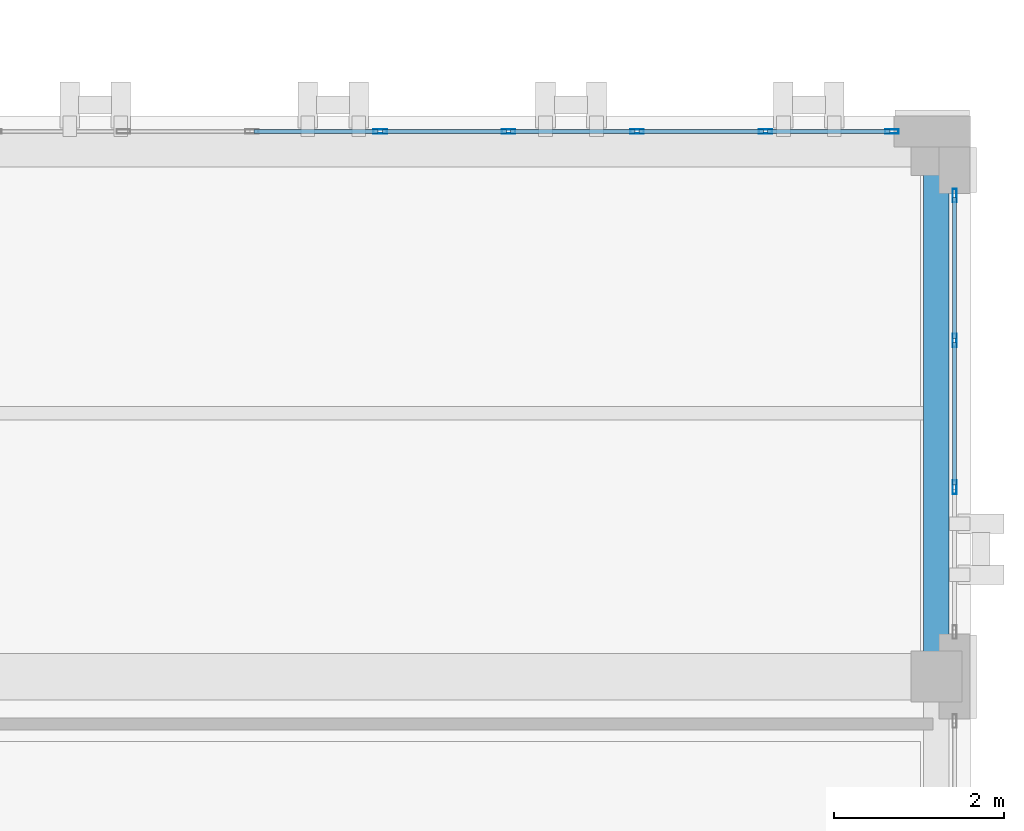
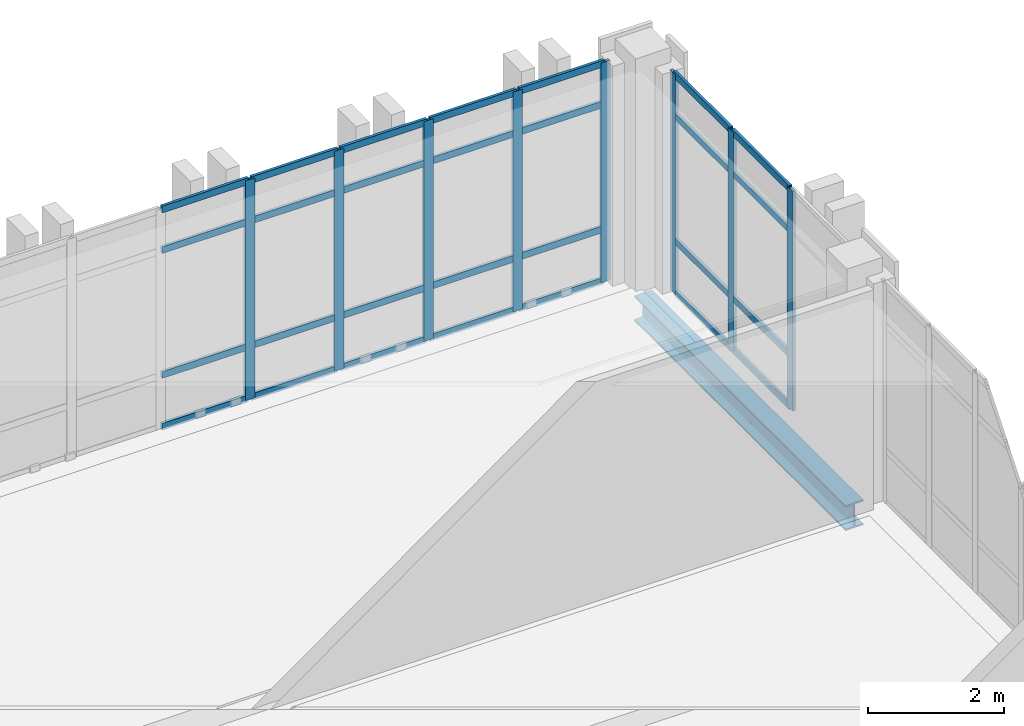
# One storey, part 45 of 77: 36 members, 1 beam, 2 elements without a shape of their own.
"""IFC4 building model written with IfcOpenShell, lengths in metres."""

from ifc_helpers import new_model, si_unit, direction, frame, origin, origin_2d, place, context, subcontext, project, spatial, hollow_rectangle, i_section, extrude, material, layer, layer_set, material_profile, profile_set, type_object, element, aggregate, save


model = new_model("IFC4")

# Units and contexts
model_context = context("Model", 3, precision=1e-05, world=origin(), true_north=direction((0.0, 1.0)))
body_context = subcontext(model_context, "Body", "Model", "MODEL_VIEW")
ifc_project = project(units=[si_unit("LENGTHUNIT", "METRE"), si_unit("AREAUNIT", "SQUARE_METRE"), si_unit("VOLUMEUNIT", "CUBIC_METRE"), si_unit("PLANEANGLEUNIT", "RADIAN"), si_unit("MASSUNIT", "GRAM", prefix="KILO")], contexts=[model_context])

# Site, building, storey
site_placement = place(None, origin())
site = spatial("IfcSite", under=ifc_project, at=site_placement, CompositionType="ELEMENT")
building_placement = place(site_placement, origin())
building = spatial("IfcBuilding", under=site, at=building_placement, Name="Qalavern Law Courts", CompositionType="ELEMENT")
storey_placement = place(building_placement, frame((0.0, 0.0, 27.0)))
storey = spatial("IfcBuildingStorey", under=building, at=storey_placement, Name="L06", CompositionType="ELEMENT", Elevation=27.0)

# Curtain wall, members
ifc_material_1 = material(Name="Anodised aluminium and insulated glazing", Category="aluminium")
ifc_layer = layer(ifc_material_1, 0.159912109375)
ifc_layer_set = layer_set([ifc_layer], Name="Anodised aluminium and insulated glazing")
curtain_wall_type = type_object("IfcCurtainWallType", Name="ENV-CW-CHAMB", PredefinedType="USERDEFINED", material=ifc_layer_set)
curtain_wall_1_placement = place(storey_placement, origin())
curtain_wall_1 = element("IfcCurtainWall", 1, at=curtain_wall_1_placement, inside=storey, type_object=curtain_wall_type, Name="V4 unitised curtain wall L06 east 5", ObjectType="UNITISED CURTAIN WALL", PredefinedType="USERDEFINED")
ifc_material_2 = material(Name="Anodised aluminium", Category="aluminium")
ifc_material_profile_1 = material_profile(ifc_material_2, hollow_rectangle(XDim=0.048095703125, YDim=0.159912109375, WallThickness=0.00390625, at=origin_2d()), Name="ALU MULLION 48x160")
ifc_profile_set_1 = profile_set([ifc_material_profile_1], Name="Anodised aluminium")
member_type_1 = type_object("IfcMemberType", Name="ENV-CWM-48x160", PredefinedType="MULLION", material=ifc_profile_set_1)
member_1_placement = place(storey_placement, frame((106.614990234375, 81.42822265625, 0.0), z_axis=(0.0, 0.0, 1.0), x_axis=(-1.0, 0.0, 0.0)))
member_1 = element("IfcMember", 2, at=member_1_placement, type_object=member_type_1, Name="CW-04 mullion 2", PredefinedType="MULLION", context=body_context, shape_type="SweptSolid", body=[
    extrude(hollow_rectangle(XDim=0.048095703125, YDim=0.159912109375, WallThickness=0.00390625, at=origin_2d()), origin(), (0.0, 0.0, 1.0), 3.93505859375),
])
member_2_placement = place(storey_placement, frame((106.614990234375, 83.15673828125, 0.0), z_axis=(0.0, 0.0, 1.0), x_axis=(-1.0, 0.0, 0.0)))
member_2 = element("IfcMember", 3, at=member_2_placement, type_object=member_type_1, Name="CW-04 mullion 3", PredefinedType="MULLION", context=body_context, shape_type="SweptSolid", body=[
    extrude(hollow_rectangle(XDim=0.048095703125, YDim=0.159912109375, WallThickness=0.00390625, at=origin_2d()), origin(), (0.0, 0.0, 1.0), 3.93505859375),
])
member_3_placement = place(storey_placement, frame((106.614990234375, 84.861083984375, 0.0), z_axis=(0.0, 0.0, 1.0), x_axis=(-1.0, 0.0, 0.0)))
member_3 = element("IfcMember", 4, at=member_3_placement, type_object=member_type_1, Name="CW-04 mullion 4", PredefinedType="MULLION", context=body_context, shape_type="SweptSolid", body=[
    extrude(hollow_rectangle(XDim=0.048095703125, YDim=0.159912109375, WallThickness=0.00390625, at=origin_2d()), origin(), (0.0, 0.0, 1.0), 3.93505859375),
])

curtain_wall_2_placement = place(storey_placement, origin())
curtain_wall_2 = element("IfcCurtainWall", 5, at=curtain_wall_2_placement, inside=storey, type_object=curtain_wall_type, Name="V4 unitised curtain wall L06 north 1", ObjectType="UNITISED CURTAIN WALL", PredefinedType="USERDEFINED")
member_4_placement = place(storey_placement, frame((105.8759765625, 85.614990234375, 0.0), z_axis=(0.0, 0.0, 1.0), x_axis=(0.0, -1.0, 0.0)))
member_4 = element("IfcMember", 6, at=member_4_placement, type_object=member_type_1, Name="CW-04 mullion 1", PredefinedType="MULLION", context=body_context, shape_type="SweptSolid", body=[
    extrude(hollow_rectangle(XDim=0.048095703125, YDim=0.159912109375, WallThickness=0.00390625, at=origin_2d()), origin(), (0.0, 0.0, 1.0), 3.93505859375),
])
member_5_placement = place(storey_placement, frame((104.388916015625, 85.614990234375, 0.0), z_axis=(0.0, 0.0, 1.0), x_axis=(0.0, -1.0, 0.0)))
member_5 = element("IfcMember", 7, at=member_5_placement, type_object=member_type_1, Name="CW-04 mullion 2", PredefinedType="MULLION", context=body_context, shape_type="SweptSolid", body=[
    extrude(hollow_rectangle(XDim=0.048095703125, YDim=0.159912109375, WallThickness=0.00390625, at=origin_2d()), origin(), (0.0, 0.0, 1.0), 3.93505859375),
])
member_6_placement = place(storey_placement, frame((102.877685546875, 85.614990234375, 0.0), z_axis=(0.0, 0.0, 1.0), x_axis=(0.0, -1.0, 0.0)))
member_6 = element("IfcMember", 8, at=member_6_placement, type_object=member_type_1, Name="CW-04 mullion 3", PredefinedType="MULLION", context=body_context, shape_type="SweptSolid", body=[
    extrude(hollow_rectangle(XDim=0.048095703125, YDim=0.159912109375, WallThickness=0.00390625, at=origin_2d()), origin(), (0.0, 0.0, 1.0), 3.93505859375),
])
member_7_placement = place(storey_placement, frame((101.36669921875, 85.614990234375, 0.0), z_axis=(0.0, 0.0, 1.0), x_axis=(0.0, -1.0, 0.0)))
member_7 = element("IfcMember", 9, at=member_7_placement, type_object=member_type_1, Name="CW-04 mullion 4", PredefinedType="MULLION", context=body_context, shape_type="SweptSolid", body=[
    extrude(hollow_rectangle(XDim=0.048095703125, YDim=0.159912109375, WallThickness=0.00390625, at=origin_2d()), origin(), (0.0, 0.0, 1.0), 3.93505859375),
])
member_8_placement = place(storey_placement, frame((99.85546875, 85.614990234375, 0.0), z_axis=(0.0, 0.0, 1.0), x_axis=(0.0, -1.0, 0.0)))
member_8 = element("IfcMember", 10, at=member_8_placement, type_object=member_type_1, Name="CW-04 mullion 5", PredefinedType="MULLION", context=body_context, shape_type="SweptSolid", body=[
    extrude(hollow_rectangle(XDim=0.048095703125, YDim=0.159912109375, WallThickness=0.00390625, at=origin_2d()), origin(), (0.0, 0.0, 1.0), 3.93505859375),
])

# Member
ifc_material_profile_2 = material_profile(ifc_material_2, hollow_rectangle(XDim=0.048095703125, YDim=0.1201171875, WallThickness=0.00390625, at=origin_2d()), Name="ALU TRANSOM 48x120")
ifc_profile_set_2 = profile_set([ifc_material_profile_2], Name="Anodised aluminium")
member_type_2 = type_object("IfcMemberType", Name="ENV-CWT-48x120", PredefinedType="USERDEFINED", material=ifc_profile_set_2)
member_9_placement = place(storey_placement, frame((106.614990234375, 81.452392578125, 0.02392578125), z_axis=(0.0, 1.0, 0.0), x_axis=(-1.0, 0.0, 0.0)))
member_9 = element("IfcMember", 11, at=member_9_placement, type_object=member_type_2, Name="CW-04 transom 2.1", ObjectType="TRANSOM", PredefinedType="USERDEFINED", context=body_context, shape_type="SweptSolid", body=[
    extrude(hollow_rectangle(XDim=0.048095703125, YDim=0.1201171875, WallThickness=0.00390625, at=origin_2d()), origin(), (0.0, 0.0, 1.0), 1.68017578125),
])

member_10_placement = place(storey_placement, frame((106.614990234375, 81.452392578125, 0.949951171875), z_axis=(0.0, 1.0, 0.0), x_axis=(-1.0, 0.0, 0.0)))
member_10 = element("IfcMember", 12, at=member_10_placement, type_object=member_type_2, Name="CW-04 transom 2.2", ObjectType="TRANSOM", PredefinedType="USERDEFINED", context=body_context, shape_type="SweptSolid", body=[
    extrude(hollow_rectangle(XDim=0.048095703125, YDim=0.1201171875, WallThickness=0.00390625, at=origin_2d()), origin(), (0.0, 0.0, 1.0), 1.68017578125),
])

member_11_placement = place(storey_placement, frame((106.614990234375, 81.452392578125, 3.18505859375), z_axis=(0.0, 1.0, 0.0), x_axis=(-1.0, 0.0, 0.0)))
member_11 = element("IfcMember", 13, at=member_11_placement, type_object=member_type_2, Name="CW-04 transom 2.3", ObjectType="TRANSOM", PredefinedType="USERDEFINED", context=body_context, shape_type="SweptSolid", body=[
    extrude(hollow_rectangle(XDim=0.048095703125, YDim=0.1201171875, WallThickness=0.00390625, at=origin_2d()), origin(), (0.0, 0.0, 1.0), 1.68017578125),
])

member_12_placement = place(storey_placement, frame((106.614990234375, 81.452392578125, 3.910888671875), z_axis=(0.0, 1.0, 0.0), x_axis=(-1.0, 0.0, 0.0)))
member_12 = element("IfcMember", 14, at=member_12_placement, type_object=member_type_2, Name="CW-04 transom 2.4", ObjectType="TRANSOM", PredefinedType="USERDEFINED", context=body_context, shape_type="SweptSolid", body=[
    extrude(hollow_rectangle(XDim=0.048095703125, YDim=0.1201171875, WallThickness=0.00390625, at=origin_2d()), origin(), (0.0, 0.0, 1.0), 1.68017578125),
])

member_13_placement = place(storey_placement, frame((106.614990234375, 83.1806640625, 0.02392578125), z_axis=(0.0, 1.0, 0.0), x_axis=(-1.0, 0.0, 0.0)))
member_13 = element("IfcMember", 15, at=member_13_placement, type_object=member_type_2, Name="CW-04 transom 3.1", ObjectType="TRANSOM", PredefinedType="USERDEFINED", context=body_context, shape_type="SweptSolid", body=[
    extrude(hollow_rectangle(XDim=0.048095703125, YDim=0.1201171875, WallThickness=0.00390625, at=origin_2d()), origin(), (0.0, 0.0, 1.0), 1.65625),
])

member_14_placement = place(storey_placement, frame((106.614990234375, 83.1806640625, 0.949951171875), z_axis=(0.0, 1.0, 0.0), x_axis=(-1.0, 0.0, 0.0)))
member_14 = element("IfcMember", 16, at=member_14_placement, type_object=member_type_2, Name="CW-04 transom 3.2", ObjectType="TRANSOM", PredefinedType="USERDEFINED", context=body_context, shape_type="SweptSolid", body=[
    extrude(hollow_rectangle(XDim=0.048095703125, YDim=0.1201171875, WallThickness=0.00390625, at=origin_2d()), origin(), (0.0, 0.0, 1.0), 1.65625),
])

member_15_placement = place(storey_placement, frame((106.614990234375, 83.1806640625, 3.18505859375), z_axis=(0.0, 1.0, 0.0), x_axis=(-1.0, 0.0, 0.0)))
member_15 = element("IfcMember", 17, at=member_15_placement, type_object=member_type_2, Name="CW-04 transom 3.3", ObjectType="TRANSOM", PredefinedType="USERDEFINED", context=body_context, shape_type="SweptSolid", body=[
    extrude(hollow_rectangle(XDim=0.048095703125, YDim=0.1201171875, WallThickness=0.00390625, at=origin_2d()), origin(), (0.0, 0.0, 1.0), 1.65625),
])

member_16_placement = place(storey_placement, frame((106.614990234375, 83.1806640625, 3.910888671875), z_axis=(0.0, 1.0, 0.0), x_axis=(-1.0, 0.0, 0.0)))
member_16 = element("IfcMember", 18, at=member_16_placement, type_object=member_type_2, Name="CW-04 transom 3.4", ObjectType="TRANSOM", PredefinedType="USERDEFINED", context=body_context, shape_type="SweptSolid", body=[
    extrude(hollow_rectangle(XDim=0.048095703125, YDim=0.1201171875, WallThickness=0.00390625, at=origin_2d()), origin(), (0.0, 0.0, 1.0), 1.65625),
])

aggregate(curtain_wall_1, [member_1, member_2, member_3, member_9, member_10, member_11, member_12, member_13, member_14, member_15, member_16])

member_17_placement = place(storey_placement, frame((105.85205078125, 85.614990234375, 0.02392578125), z_axis=(-1.0, 0.0, 0.0), x_axis=(0.0, -1.0, 0.0)))
member_17 = element("IfcMember", 19, at=member_17_placement, type_object=member_type_2, Name="CW-04 transom 1.1", ObjectType="TRANSOM", PredefinedType="USERDEFINED", context=body_context, shape_type="SweptSolid", body=[
    extrude(hollow_rectangle(XDim=0.048095703125, YDim=0.1201171875, WallThickness=0.00390625, at=origin_2d()), origin(), (0.0, 0.0, 1.0), 1.439208984375),
])

member_18_placement = place(storey_placement, frame((105.85205078125, 85.614990234375, 0.949951171875), z_axis=(-1.0, 0.0, 0.0), x_axis=(0.0, -1.0, 0.0)))
member_18 = element("IfcMember", 20, at=member_18_placement, type_object=member_type_2, Name="CW-04 transom 1.2", ObjectType="TRANSOM", PredefinedType="USERDEFINED", context=body_context, shape_type="SweptSolid", body=[
    extrude(hollow_rectangle(XDim=0.048095703125, YDim=0.1201171875, WallThickness=0.00390625, at=origin_2d()), origin(), (0.0, 0.0, 1.0), 1.439208984375),
])

member_19_placement = place(storey_placement, frame((105.85205078125, 85.614990234375, 3.18505859375), z_axis=(-1.0, 0.0, 0.0), x_axis=(0.0, -1.0, 0.0)))
member_19 = element("IfcMember", 21, at=member_19_placement, type_object=member_type_2, Name="CW-04 transom 1.3", ObjectType="TRANSOM", PredefinedType="USERDEFINED", context=body_context, shape_type="SweptSolid", body=[
    extrude(hollow_rectangle(XDim=0.048095703125, YDim=0.1201171875, WallThickness=0.00390625, at=origin_2d()), origin(), (0.0, 0.0, 1.0), 1.439208984375),
])

member_20_placement = place(storey_placement, frame((105.85205078125, 85.614990234375, 3.910888671875), z_axis=(-1.0, 0.0, 0.0), x_axis=(0.0, -1.0, 0.0)))
member_20 = element("IfcMember", 22, at=member_20_placement, type_object=member_type_2, Name="CW-04 transom 1.4", ObjectType="TRANSOM", PredefinedType="USERDEFINED", context=body_context, shape_type="SweptSolid", body=[
    extrude(hollow_rectangle(XDim=0.048095703125, YDim=0.1201171875, WallThickness=0.00390625, at=origin_2d()), origin(), (0.0, 0.0, 1.0), 1.439208984375),
])

member_21_placement = place(storey_placement, frame((104.364990234375, 85.614990234375, 0.02392578125), z_axis=(-1.0, 0.0, 0.0), x_axis=(0.0, -1.0, 0.0)))
member_21 = element("IfcMember", 23, at=member_21_placement, type_object=member_type_2, Name="CW-04 transom 2.1", ObjectType="TRANSOM", PredefinedType="USERDEFINED", context=body_context, shape_type="SweptSolid", body=[
    extrude(hollow_rectangle(XDim=0.048095703125, YDim=0.1201171875, WallThickness=0.00390625, at=origin_2d()), origin(), (0.0, 0.0, 1.0), 1.463134765625),
])

member_22_placement = place(storey_placement, frame((104.364990234375, 85.614990234375, 0.949951171875), z_axis=(-1.0, 0.0, 0.0), x_axis=(0.0, -1.0, 0.0)))
member_22 = element("IfcMember", 24, at=member_22_placement, type_object=member_type_2, Name="CW-04 transom 2.2", ObjectType="TRANSOM", PredefinedType="USERDEFINED", context=body_context, shape_type="SweptSolid", body=[
    extrude(hollow_rectangle(XDim=0.048095703125, YDim=0.1201171875, WallThickness=0.00390625, at=origin_2d()), origin(), (0.0, 0.0, 1.0), 1.463134765625),
])

member_23_placement = place(storey_placement, frame((104.364990234375, 85.614990234375, 3.18505859375), z_axis=(-1.0, 0.0, 0.0), x_axis=(0.0, -1.0, 0.0)))
member_23 = element("IfcMember", 25, at=member_23_placement, type_object=member_type_2, Name="CW-04 transom 2.3", ObjectType="TRANSOM", PredefinedType="USERDEFINED", context=body_context, shape_type="SweptSolid", body=[
    extrude(hollow_rectangle(XDim=0.048095703125, YDim=0.1201171875, WallThickness=0.00390625, at=origin_2d()), origin(), (0.0, 0.0, 1.0), 1.463134765625),
])

member_24_placement = place(storey_placement, frame((104.364990234375, 85.614990234375, 3.910888671875), z_axis=(-1.0, 0.0, 0.0), x_axis=(0.0, -1.0, 0.0)))
member_24 = element("IfcMember", 26, at=member_24_placement, type_object=member_type_2, Name="CW-04 transom 2.4", ObjectType="TRANSOM", PredefinedType="USERDEFINED", context=body_context, shape_type="SweptSolid", body=[
    extrude(hollow_rectangle(XDim=0.048095703125, YDim=0.1201171875, WallThickness=0.00390625, at=origin_2d()), origin(), (0.0, 0.0, 1.0), 1.463134765625),
])

member_25_placement = place(storey_placement, frame((102.853759765625, 85.614990234375, 0.02392578125), z_axis=(-1.0, 0.0, 0.0), x_axis=(0.0, -1.0, 0.0)))
member_25 = element("IfcMember", 27, at=member_25_placement, type_object=member_type_2, Name="CW-04 transom 3.1", ObjectType="TRANSOM", PredefinedType="USERDEFINED", context=body_context, shape_type="SweptSolid", body=[
    extrude(hollow_rectangle(XDim=0.048095703125, YDim=0.1201171875, WallThickness=0.00390625, at=origin_2d()), origin(), (0.0, 0.0, 1.0), 1.463134765625),
])

member_26_placement = place(storey_placement, frame((102.853759765625, 85.614990234375, 0.949951171875), z_axis=(-1.0, 0.0, 0.0), x_axis=(0.0, -1.0, 0.0)))
member_26 = element("IfcMember", 28, at=member_26_placement, type_object=member_type_2, Name="CW-04 transom 3.2", ObjectType="TRANSOM", PredefinedType="USERDEFINED", context=body_context, shape_type="SweptSolid", body=[
    extrude(hollow_rectangle(XDim=0.048095703125, YDim=0.1201171875, WallThickness=0.00390625, at=origin_2d()), origin(), (0.0, 0.0, 1.0), 1.463134765625),
])

member_27_placement = place(storey_placement, frame((102.853759765625, 85.614990234375, 3.18505859375), z_axis=(-1.0, 0.0, 0.0), x_axis=(0.0, -1.0, 0.0)))
member_27 = element("IfcMember", 29, at=member_27_placement, type_object=member_type_2, Name="CW-04 transom 3.3", ObjectType="TRANSOM", PredefinedType="USERDEFINED", context=body_context, shape_type="SweptSolid", body=[
    extrude(hollow_rectangle(XDim=0.048095703125, YDim=0.1201171875, WallThickness=0.00390625, at=origin_2d()), origin(), (0.0, 0.0, 1.0), 1.463134765625),
])

member_28_placement = place(storey_placement, frame((102.853759765625, 85.614990234375, 3.910888671875), z_axis=(-1.0, 0.0, 0.0), x_axis=(0.0, -1.0, 0.0)))
member_28 = element("IfcMember", 30, at=member_28_placement, type_object=member_type_2, Name="CW-04 transom 3.4", ObjectType="TRANSOM", PredefinedType="USERDEFINED", context=body_context, shape_type="SweptSolid", body=[
    extrude(hollow_rectangle(XDim=0.048095703125, YDim=0.1201171875, WallThickness=0.00390625, at=origin_2d()), origin(), (0.0, 0.0, 1.0), 1.463134765625),
])

member_29_placement = place(storey_placement, frame((101.3427734375, 85.614990234375, 0.02392578125), z_axis=(-1.0, 0.0, 0.0), x_axis=(0.0, -1.0, 0.0)))
member_29 = element("IfcMember", 31, at=member_29_placement, type_object=member_type_2, Name="CW-04 transom 4.1", ObjectType="TRANSOM", PredefinedType="USERDEFINED", context=body_context, shape_type="SweptSolid", body=[
    extrude(hollow_rectangle(XDim=0.048095703125, YDim=0.1201171875, WallThickness=0.00390625, at=origin_2d()), origin(), (0.0, 0.0, 1.0), 1.463134765625),
])

member_30_placement = place(storey_placement, frame((101.3427734375, 85.614990234375, 0.949951171875), z_axis=(-1.0, 0.0, 0.0), x_axis=(0.0, -1.0, 0.0)))
member_30 = element("IfcMember", 32, at=member_30_placement, type_object=member_type_2, Name="CW-04 transom 4.2", ObjectType="TRANSOM", PredefinedType="USERDEFINED", context=body_context, shape_type="SweptSolid", body=[
    extrude(hollow_rectangle(XDim=0.048095703125, YDim=0.1201171875, WallThickness=0.00390625, at=origin_2d()), origin(), (0.0, 0.0, 1.0), 1.463134765625),
])

member_31_placement = place(storey_placement, frame((101.3427734375, 85.614990234375, 3.18505859375), z_axis=(-1.0, 0.0, 0.0), x_axis=(0.0, -1.0, 0.0)))
member_31 = element("IfcMember", 33, at=member_31_placement, type_object=member_type_2, Name="CW-04 transom 4.3", ObjectType="TRANSOM", PredefinedType="USERDEFINED", context=body_context, shape_type="SweptSolid", body=[
    extrude(hollow_rectangle(XDim=0.048095703125, YDim=0.1201171875, WallThickness=0.00390625, at=origin_2d()), origin(), (0.0, 0.0, 1.0), 1.463134765625),
])

member_32_placement = place(storey_placement, frame((101.3427734375, 85.614990234375, 3.910888671875), z_axis=(-1.0, 0.0, 0.0), x_axis=(0.0, -1.0, 0.0)))
member_32 = element("IfcMember", 34, at=member_32_placement, type_object=member_type_2, Name="CW-04 transom 4.4", ObjectType="TRANSOM", PredefinedType="USERDEFINED", context=body_context, shape_type="SweptSolid", body=[
    extrude(hollow_rectangle(XDim=0.048095703125, YDim=0.1201171875, WallThickness=0.00390625, at=origin_2d()), origin(), (0.0, 0.0, 1.0), 1.463134765625),
])

member_33_placement = place(storey_placement, frame((99.83154296875, 85.614990234375, 0.02392578125), z_axis=(-1.0, 0.0, 0.0), x_axis=(0.0, -1.0, 0.0)))
member_33 = element("IfcMember", 35, at=member_33_placement, type_object=member_type_2, Name="CW-04 transom 5.1", ObjectType="TRANSOM", PredefinedType="USERDEFINED", context=body_context, shape_type="SweptSolid", body=[
    extrude(hollow_rectangle(XDim=0.048095703125, YDim=0.1201171875, WallThickness=0.00390625, at=origin_2d()), origin(), (0.0, 0.0, 1.0), 1.463134765625),
])

member_34_placement = place(storey_placement, frame((99.83154296875, 85.614990234375, 0.949951171875), z_axis=(-1.0, 0.0, 0.0), x_axis=(0.0, -1.0, 0.0)))
member_34 = element("IfcMember", 36, at=member_34_placement, type_object=member_type_2, Name="CW-04 transom 5.2", ObjectType="TRANSOM", PredefinedType="USERDEFINED", context=body_context, shape_type="SweptSolid", body=[
    extrude(hollow_rectangle(XDim=0.048095703125, YDim=0.1201171875, WallThickness=0.00390625, at=origin_2d()), origin(), (0.0, 0.0, 1.0), 1.463134765625),
])

member_35_placement = place(storey_placement, frame((99.83154296875, 85.614990234375, 3.18505859375), z_axis=(-1.0, 0.0, 0.0), x_axis=(0.0, -1.0, 0.0)))
member_35 = element("IfcMember", 37, at=member_35_placement, type_object=member_type_2, Name="CW-04 transom 5.3", ObjectType="TRANSOM", PredefinedType="USERDEFINED", context=body_context, shape_type="SweptSolid", body=[
    extrude(hollow_rectangle(XDim=0.048095703125, YDim=0.1201171875, WallThickness=0.00390625, at=origin_2d()), origin(), (0.0, 0.0, 1.0), 1.463134765625),
])

member_36_placement = place(storey_placement, frame((99.83154296875, 85.614990234375, 3.910888671875), z_axis=(-1.0, 0.0, 0.0), x_axis=(0.0, -1.0, 0.0)))
member_36 = element("IfcMember", 38, at=member_36_placement, type_object=member_type_2, Name="CW-04 transom 5.4", ObjectType="TRANSOM", PredefinedType="USERDEFINED", context=body_context, shape_type="SweptSolid", body=[
    extrude(hollow_rectangle(XDim=0.048095703125, YDim=0.1201171875, WallThickness=0.00390625, at=origin_2d()), origin(), (0.0, 0.0, 1.0), 1.463134765625),
])

aggregate(curtain_wall_2, [member_4, member_5, member_6, member_7, member_8, member_17, member_18, member_19, member_20, member_21, member_22, member_23, member_24, member_25, member_26, member_27, member_28, member_29, member_30, member_31, member_32, member_33, member_34, member_35, member_36])

# Beam
ifc_material_3 = material(Name="Steel S355", Category="steel")
ifc_material_profile_3 = material_profile(ifc_material_3, i_section(OverallWidth=0.300048828125, OverallDepth=0.449951171875, WebThickness=0.013916015625, FlangeThickness=0.02587890625, FilletRadius=0.027099609375, at=origin_2d()), Name="HEB 450")
ifc_profile_set_3 = profile_set([ifc_material_profile_3], Name="Steel S355")
beam_type = type_object("IfcBeamType", Name="STR-SP-HEB450", PredefinedType="SPANDREL", material=ifc_profile_set_3)
beam_placement = place(storey_placement, frame((106.39990234375, 79.199951171875, -0.4951171875), z_axis=(0.0, 1.0, 0.0), x_axis=(-1.0, 0.0, 0.0)))
element("IfcBeam", 39, at=beam_placement, inside=storey, type_object=beam_type, Name="V4 Y-beam 3-6 L06", PredefinedType="SPANDREL", context=body_context, shape_type="SweptSolid", body=[
    extrude(i_section(OverallWidth=0.300048828125, OverallDepth=0.449951171875, WebThickness=0.013916015625, FlangeThickness=0.02587890625, FilletRadius=0.027099609375, at=origin_2d()), origin(), (0.0, 0.0, 1.0), 6.199951171875),
])

save(model, "model.ifc")
